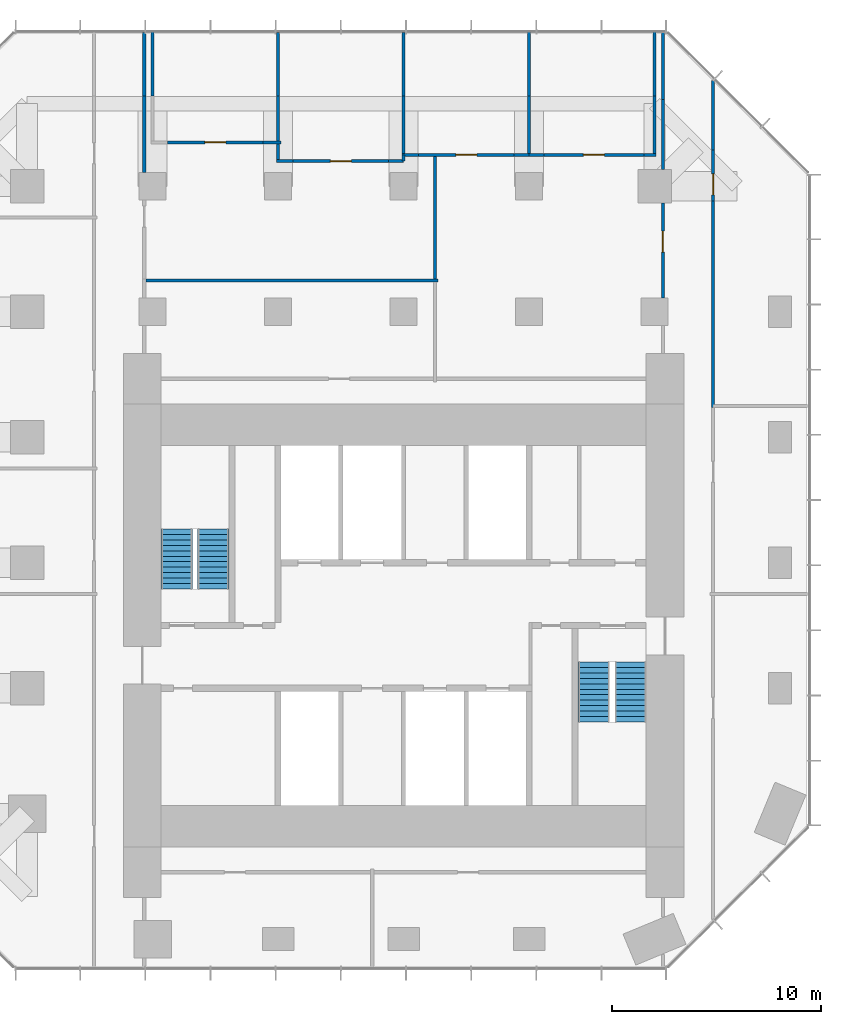
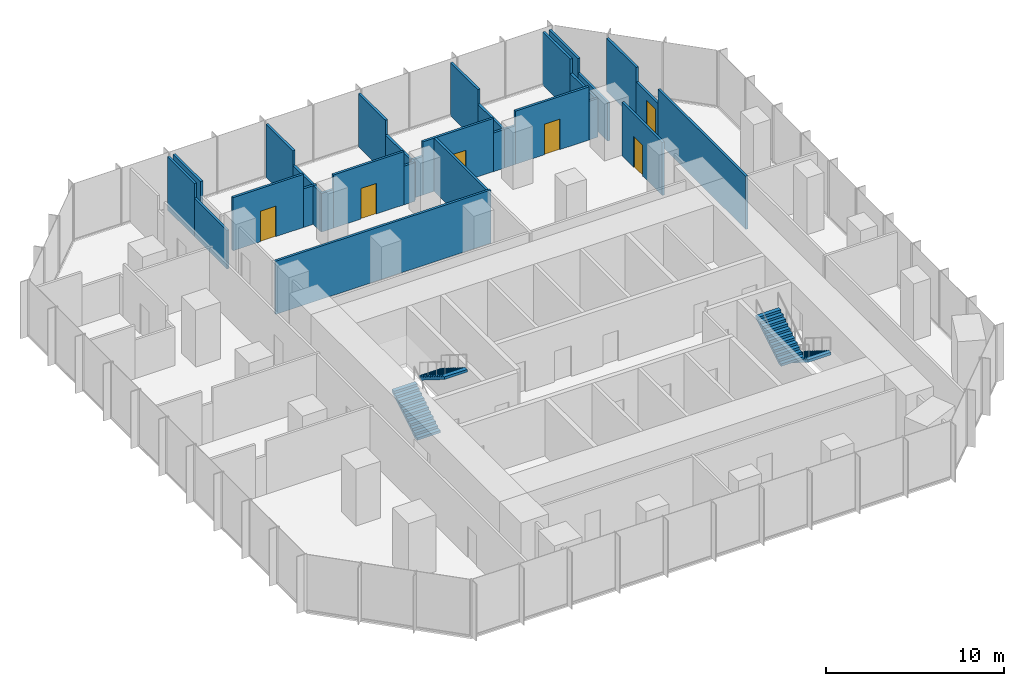
# One storey, part 10 of 11: 32 walls, 6 doors, 4 stair flights, 6 openings, 2 elements without a shape of their own.
"""IFC4 building model written with IfcOpenShell, lengths in metres."""

from ifc_helpers import new_model, si_unit, direction, frame, frame_2d, origin, place, context, subcontext, project, spatial, polyline, rectangle, outline, extrude, material, layer, layer_set, type_object, element, fill, aggregate, save


model = new_model("IFC4")

# Units and contexts
model_context = context("Model", 3, precision=1e-05, world=origin(), true_north=direction((0.0, 1.0)))
body_context = subcontext(model_context, "Body", "Model", "MODEL_VIEW")
ifc_project = project(units=[si_unit("LENGTHUNIT", "METRE"), si_unit("AREAUNIT", "SQUARE_METRE"), si_unit("VOLUMEUNIT", "CUBIC_METRE"), si_unit("PLANEANGLEUNIT", "RADIAN"), si_unit("MASSUNIT", "GRAM", prefix="KILO")], contexts=[model_context])

# Site, building, storey
site_placement = place(None, origin())
site = spatial("IfcSite", under=ifc_project, at=site_placement, CompositionType="ELEMENT")
building_placement = place(site_placement, origin())
building = spatial("IfcBuilding", under=site, at=building_placement, Name="Highveld Stack Headquarters", CompositionType="ELEMENT")
storey_placement = place(building_placement, frame((0.0, 0.0, 192.800048828125)))
storey = spatial("IfcBuildingStorey", under=building, at=storey_placement, Name="L47", CompositionType="ELEMENT", Elevation=192.800048828125)

# Wall
ifc_material_1 = material(Name="Gypsum plasterboard on steel studs", Category="steel")
ifc_layer = layer(ifc_material_1, 0.14990234375)
ifc_layer_set = layer_set([ifc_layer], Name="Gypsum plasterboard on steel studs")
wall_type = type_object("IfcWallType", Name="PARTITION 150 PLASTERBOARD", PredefinedType="PARTITIONING", material=ifc_layer_set)
wall_1_placement = place(storey_placement, frame((-0.074951171875, 25.199951171875, 0.0), z_axis=(0.0, 0.0, 1.0), x_axis=(1.0, 0.0, 0.0)))
element("IfcWall", 1, at=wall_1_placement, inside=storey, type_object=wall_type, Name="Partition Tea kitchen L47", PredefinedType="PARTITIONING", context=body_context, shape_type="SweptSolid", body=[
    extrude(rectangle(XDim=0.784912109375, YDim=0.14990234375, at=frame_2d((0.392578125, 0.0))), origin(), (0.0, 0.0, 1.0), 2.64990234375),
])

# Wall, opening, door
wall_2_placement = place(storey_placement, frame((0.7099609375, 25.199951171875, 0.0), z_axis=(0.0, 0.0, 1.0), x_axis=(1.0, 0.0, 0.0)))
wall_2 = element("IfcWall", 2, at=wall_2_placement, inside=storey, type_object=wall_type, Name="Partition Tea kitchen L47", PredefinedType="PARTITIONING", context=body_context, shape_type="SweptSolid", body=[
    extrude(rectangle(XDim=4.580078125, YDim=0.14990234375, at=frame_2d((2.2900390625, 0.0))), origin(), (0.0, 0.0, 1.0), 3.64990234375),
])
opening_1_placement = place(wall_2_placement, frame((1.7900390625, 0.0, 0.0)))
opening_1 = element("IfcOpeningElement", 3, at=opening_1_placement, cuts=wall_2, Name="Opening L47-14", PredefinedType="OPENING", context=body_context, shape_type="SweptSolid", body=[
    extrude(rectangle(XDim=1.0, YDim=2.10009765625, at=frame_2d((0.5, 1.050048828125))), frame((0.0, 0.0849609375, 0.0), z_axis=(0.0, -1.0, 0.0), x_axis=(1.0, 0.0, 0.0)), (0.0, 0.0, 1.0), 0.169921875),
])
ifc_material_2 = material(Name="Timber door, oiled ash", Category="wood")
door_type = type_object("IfcDoorType", Name="ROOM DOOR D6 1000x2100", OperationType="SINGLE_SWING_LEFT", PredefinedType="DOOR", material=ifc_material_2)
door_1_placement = place(opening_1_placement, origin())
door_1 = element("IfcDoor", 4, at=door_1_placement, inside=storey, type_object=door_type, Name="Tea kitchen door 1 L47", OperationType="SINGLE_SWING_LEFT", OverallHeight=2.10009765625, OverallWidth=1.0, PredefinedType="DOOR", context=body_context, shape_type="SweptSolid", body=[
    extrude(rectangle(XDim=1.0, YDim=2.10009765625, at=frame_2d((0.5, 1.050048828125))), frame((0.0, 0.02490234375, 0.0), z_axis=(0.0, -1.0, 0.0), x_axis=(1.0, 0.0, 0.0)), (0.0, 0.0, 1.0), 0.050048828125),
])
fill(opening_1, door_1)

# Walls
wall_3_placement = place(storey_placement, frame((5.2900390625, 25.199951171875, 0.0), z_axis=(0.0, 0.0, 1.0), x_axis=(1.0, 0.0, 0.0)))
element("IfcWall", 5, at=wall_3_placement, inside=storey, type_object=wall_type, Name="Partition Tea kitchen L47", PredefinedType="PARTITIONING", context=body_context, shape_type="SweptSolid", body=[
    extrude(rectangle(XDim=0.7099609375, YDim=0.14990234375, at=frame_2d((0.35498046875, 0.0))), origin(), (0.0, 0.0, 1.0), 2.64990234375),
])
wall_4_placement = place(storey_placement, frame((5.925048828125, 25.5, 0.0), z_axis=(0.0, 0.0, 1.0), x_axis=(1.0, 0.0, 0.0)))
element("IfcWall", 6, at=wall_4_placement, inside=storey, type_object=wall_type, Name="Partition Quiet room L47", PredefinedType="PARTITIONING", context=body_context, shape_type="SweptSolid", body=[
    extrude(rectangle(XDim=0.784912109375, YDim=0.14990234375, at=frame_2d((0.392578125, 0.0))), origin(), (0.0, 0.0, 1.0), 2.64990234375),
])

# Wall, opening, door
wall_5_placement = place(storey_placement, frame((6.7099609375, 25.5, 0.0), z_axis=(0.0, 0.0, 1.0), x_axis=(1.0, 0.0, 0.0)))
wall_5 = element("IfcWall", 7, at=wall_5_placement, inside=storey, type_object=wall_type, Name="Partition Quiet room L47", PredefinedType="PARTITIONING", context=body_context, shape_type="SweptSolid", body=[
    extrude(rectangle(XDim=4.580078125, YDim=0.14990234375, at=frame_2d((2.2900390625, 0.0))), origin(), (0.0, 0.0, 1.0), 3.64990234375),
])
opening_2_placement = place(wall_5_placement, frame((1.7900390625, 0.0, 0.0)))
opening_2 = element("IfcOpeningElement", 8, at=opening_2_placement, cuts=wall_5, Name="Opening L47-15", PredefinedType="OPENING", context=body_context, shape_type="SweptSolid", body=[
    extrude(rectangle(XDim=1.0, YDim=2.10009765625, at=frame_2d((0.5, 1.050048828125))), frame((0.0, 0.0849609375, 0.0), z_axis=(0.0, -1.0, 0.0), x_axis=(1.0, 0.0, 0.0)), (0.0, 0.0, 1.0), 0.169921875),
])
door_2_placement = place(opening_2_placement, origin())
door_2 = element("IfcDoor", 9, at=door_2_placement, inside=storey, type_object=door_type, Name="Quiet room door 1 L47", OperationType="SINGLE_SWING_LEFT", OverallHeight=2.10009765625, OverallWidth=1.0, PredefinedType="DOOR", context=body_context, shape_type="SweptSolid", body=[
    extrude(rectangle(XDim=1.0, YDim=2.10009765625, at=frame_2d((0.5, 1.050048828125))), frame((0.0, 0.02490234375, 0.0), z_axis=(0.0, -1.0, 0.0), x_axis=(1.0, 0.0, 0.0)), (0.0, 0.0, 1.0), 0.050048828125),
])
fill(opening_2, door_2)

# Walls
wall_6_placement = place(storey_placement, frame((11.2900390625, 25.5, 0.0), z_axis=(0.0, 0.0, 1.0), x_axis=(1.0, 0.0, 0.0)))
element("IfcWall", 10, at=wall_6_placement, inside=storey, type_object=wall_type, Name="Partition Quiet room L47", PredefinedType="PARTITIONING", context=body_context, shape_type="SweptSolid", body=[
    extrude(rectangle(XDim=0.784912109375, YDim=0.14990234375, at=frame_2d((0.392578125, 0.0))), origin(), (0.0, 0.0, 1.0), 2.64990234375),
])
wall_7_placement = place(storey_placement, frame((12.0, 25.5, 0.0), z_axis=(0.0, 0.0, 1.0), x_axis=(1.0, 0.0, 0.0)))
element("IfcWall", 11, at=wall_7_placement, inside=storey, type_object=wall_type, Name="Partition Quiet room L47", PredefinedType="PARTITIONING", context=body_context, shape_type="SweptSolid", body=[
    extrude(rectangle(XDim=0.7099609375, YDim=0.14990234375, at=frame_2d((0.35498046875, 0.0))), origin(), (0.0, 0.0, 1.0), 2.64990234375),
])

# Wall, opening, door
wall_8_placement = place(storey_placement, frame((12.7099609375, 25.5, 0.0), z_axis=(0.0, 0.0, 1.0), x_axis=(1.0, 0.0, 0.0)))
wall_8 = element("IfcWall", 12, at=wall_8_placement, inside=storey, type_object=wall_type, Name="Partition Quiet room L47", PredefinedType="PARTITIONING", context=body_context, shape_type="SweptSolid", body=[
    extrude(rectangle(XDim=4.780029296875, YDim=0.14990234375, at=frame_2d((2.39013671875, 0.0))), origin(), (0.0, 0.0, 1.0), 3.64990234375),
])
opening_3_placement = place(wall_8_placement, frame((1.889892578125, 0.0, 0.0)))
opening_3 = element("IfcOpeningElement", 13, at=opening_3_placement, cuts=wall_8, Name="Opening L47-16", PredefinedType="OPENING", context=body_context, shape_type="SweptSolid", body=[
    extrude(rectangle(XDim=1.0, YDim=2.10009765625, at=frame_2d((0.5, 1.050048828125))), frame((0.0, 0.0849609375, 0.0), z_axis=(0.0, -1.0, 0.0), x_axis=(1.0, 0.0, 0.0)), (0.0, 0.0, 1.0), 0.169921875),
])
door_3_placement = place(opening_3_placement, origin())
door_3 = element("IfcDoor", 14, at=door_3_placement, inside=storey, type_object=door_type, Name="Quiet room door 1 L47", OperationType="SINGLE_SWING_RIGHT", OverallHeight=2.10009765625, OverallWidth=1.0, PredefinedType="DOOR", context=body_context, shape_type="SweptSolid", body=[
    extrude(rectangle(XDim=1.0, YDim=2.10009765625, at=frame_2d((0.5, 1.050048828125))), frame((0.0, 0.02490234375, 0.0), z_axis=(0.0, -1.0, 0.0), x_axis=(1.0, 0.0, 0.0)), (0.0, 0.0, 1.0), 0.050048828125),
])
fill(opening_3, door_3)

# Wall
wall_9_placement = place(storey_placement, frame((17.489990234375, 25.5, 0.0), z_axis=(0.0, 0.0, 1.0), x_axis=(1.0, 0.0, 0.0)))
element("IfcWall", 15, at=wall_9_placement, inside=storey, type_object=wall_type, Name="Partition Quiet room L47", PredefinedType="PARTITIONING", context=body_context, shape_type="SweptSolid", body=[
    extrude(rectangle(XDim=0.5849609375, YDim=0.14990234375, at=frame_2d((0.29248046875, 0.0))), origin(), (0.0, 0.0, 1.0), 2.64990234375),
])

# Wall, opening, door
wall_10_placement = place(storey_placement, frame((-5.2900390625, 26.10009765625, 0.0), z_axis=(0.0, 0.0, 1.0), x_axis=(1.0, 0.0, 0.0)))
wall_10 = element("IfcWall", 16, at=wall_10_placement, inside=storey, type_object=wall_type, Name="Partition Focus room L47", PredefinedType="PARTITIONING", context=body_context, shape_type="SweptSolid", body=[
    extrude(rectangle(XDim=4.580078125, YDim=0.14990234375, at=frame_2d((2.2900390625, 0.0))), origin(), (0.0, 0.0, 1.0), 3.64990234375),
])
opening_4_placement = place(wall_10_placement, frame((1.7900390625, 0.0, 0.0)))
opening_4 = element("IfcOpeningElement", 17, at=opening_4_placement, cuts=wall_10, Name="Opening L47-13", PredefinedType="OPENING", context=body_context, shape_type="SweptSolid", body=[
    extrude(rectangle(XDim=1.0, YDim=2.10009765625, at=frame_2d((0.5, 1.050048828125))), frame((0.0, 0.0849609375, 0.0), z_axis=(0.0, -1.0, 0.0), x_axis=(1.0, 0.0, 0.0)), (0.0, 0.0, 1.0), 0.169921875),
])
door_4_placement = place(opening_4_placement, origin())
door_4 = element("IfcDoor", 18, at=door_4_placement, inside=storey, type_object=door_type, Name="Focus room door 1 L47", OperationType="SINGLE_SWING_RIGHT", OverallHeight=2.10009765625, OverallWidth=1.0, PredefinedType="DOOR", context=body_context, shape_type="SweptSolid", body=[
    extrude(rectangle(XDim=1.0, YDim=2.10009765625, at=frame_2d((0.5, 1.050048828125))), frame((0.0, 0.02490234375, 0.0), z_axis=(0.0, -1.0, 0.0), x_axis=(1.0, 0.0, 0.0)), (0.0, 0.0, 1.0), 0.050048828125),
])
fill(opening_4, door_4)

# Walls
wall_11_placement = place(storey_placement, frame((-0.7099609375, 26.10009765625, 0.0), z_axis=(0.0, 0.0, 1.0), x_axis=(1.0, 0.0, 0.0)))
element("IfcWall", 19, at=wall_11_placement, inside=storey, type_object=wall_type, Name="Partition Focus room L47", PredefinedType="PARTITIONING", context=body_context, shape_type="SweptSolid", body=[
    extrude(rectangle(XDim=0.85986328125, YDim=0.14990234375, at=frame_2d((0.429931640625, 0.0))), origin(), (0.0, 0.0, 1.0), 2.64990234375),
])
wall_12_placement = place(storey_placement, frame((-6.0, 28.31005859375, 0.0), z_axis=(0.0, 0.0, 1.0), x_axis=(0.0, 1.0, 0.0)))
element("IfcWall", 20, at=wall_12_placement, inside=storey, type_object=wall_type, Name="Partition Focus room L47", PredefinedType="PARTITIONING", context=body_context, shape_type="SweptSolid", body=[
    extrude(rectangle(XDim=3.08984375, YDim=0.14990234375, at=frame_2d((1.544921875, 0.0))), origin(), (0.0, 0.0, 1.0), 3.64990234375),
])
wall_13_placement = place(storey_placement, frame((0.0, 25.27490234375, 0.0), z_axis=(0.0, 0.0, 1.0), x_axis=(0.0, 1.0, 0.0)))
element("IfcWall", 21, at=wall_13_placement, inside=storey, type_object=wall_type, Name="Partition Tea kitchen L47", PredefinedType="PARTITIONING", context=body_context, shape_type="SweptSolid", body=[
    extrude(rectangle(XDim=0.75, YDim=0.14990234375, at=frame_2d((0.375, 0.0))), origin(), (0.0, 0.0, 1.0), 2.64990234375),
])
wall_14_placement = place(storey_placement, frame((0.0, 26.175048828125, 0.0), z_axis=(0.0, 0.0, 1.0), x_axis=(0.0, 1.0, 0.0)))
element("IfcWall", 22, at=wall_14_placement, inside=storey, type_object=wall_type, Name="Partition Focus room / Tea kitchen L47", PredefinedType="PARTITIONING", context=body_context, shape_type="SweptSolid", body=[
    extrude(rectangle(XDim=2.135009765625, YDim=0.14990234375, at=frame_2d((1.0673828125, 0.0))), origin(), (0.0, 0.0, 1.0), 2.64990234375),
])
wall_15_placement = place(storey_placement, frame((0.0, 28.31005859375, 0.0), z_axis=(0.0, 0.0, 1.0), x_axis=(0.0, 1.0, 0.0)))
element("IfcWall", 23, at=wall_15_placement, inside=storey, type_object=wall_type, Name="Partition Focus room / Tea kitchen L47", PredefinedType="PARTITIONING", context=body_context, shape_type="SweptSolid", body=[
    extrude(rectangle(XDim=3.0400390625, YDim=0.14990234375, at=frame_2d((1.52001953125, 0.0))), origin(), (0.0, 0.0, 1.0), 3.64990234375),
])
wall_16_placement = place(storey_placement, frame((6.0, 25.199951171875, 0.0), z_axis=(0.0, 0.0, 1.0), x_axis=(0.0, 1.0, 0.0)))
element("IfcWall", 24, at=wall_16_placement, inside=storey, type_object=wall_type, Name="Partition Tea kitchen L47", PredefinedType="PARTITIONING", context=body_context, shape_type="SweptSolid", body=[
    extrude(rectangle(XDim=0.300048828125, YDim=0.14990234375, at=frame_2d((0.14990234375, 0.0))), origin(), (0.0, 0.0, 1.0), 2.64990234375),
])
wall_17_placement = place(storey_placement, frame((6.0, 25.574951171875, 0.0), z_axis=(0.0, 0.0, 1.0), x_axis=(0.0, 1.0, 0.0)))
element("IfcWall", 25, at=wall_17_placement, inside=storey, type_object=wall_type, Name="Partition Quiet room / Tea kitchen L47", PredefinedType="PARTITIONING", context=body_context, shape_type="SweptSolid", body=[
    extrude(rectangle(XDim=2.735107421875, YDim=0.14990234375, at=frame_2d((1.36767578125, 0.0))), origin(), (0.0, 0.0, 1.0), 2.64990234375),
])
wall_18_placement = place(storey_placement, frame((6.0, 28.31005859375, 0.0), z_axis=(0.0, 0.0, 1.0), x_axis=(0.0, 1.0, 0.0)))
element("IfcWall", 26, at=wall_18_placement, inside=storey, type_object=wall_type, Name="Partition Quiet room / Tea kitchen L47", PredefinedType="PARTITIONING", context=body_context, shape_type="SweptSolid", body=[
    extrude(rectangle(XDim=3.0400390625, YDim=0.14990234375, at=frame_2d((1.52001953125, 0.0))), origin(), (0.0, 0.0, 1.0), 3.64990234375),
])
wall_19_placement = place(storey_placement, frame((12.0, 25.574951171875, 0.0), z_axis=(0.0, 0.0, 1.0), x_axis=(0.0, 1.0, 0.0)))
element("IfcWall", 27, at=wall_19_placement, inside=storey, type_object=wall_type, Name="Partition Quiet room L47", PredefinedType="PARTITIONING", context=body_context, shape_type="SweptSolid", body=[
    extrude(rectangle(XDim=2.735107421875, YDim=0.14990234375, at=frame_2d((1.36767578125, 0.0))), origin(), (0.0, 0.0, 1.0), 2.64990234375),
])
wall_20_placement = place(storey_placement, frame((12.0, 28.31005859375, 0.0), z_axis=(0.0, 0.0, 1.0), x_axis=(0.0, 1.0, 0.0)))
element("IfcWall", 28, at=wall_20_placement, inside=storey, type_object=wall_type, Name="Partition Quiet room L47", PredefinedType="PARTITIONING", context=body_context, shape_type="SweptSolid", body=[
    extrude(rectangle(XDim=3.08984375, YDim=0.14990234375, at=frame_2d((1.544921875, 0.0))), origin(), (0.0, 0.0, 1.0), 3.64990234375),
])
wall_21_placement = place(storey_placement, frame((18.0, 25.574951171875, 0.0), z_axis=(0.0, 0.0, 1.0), x_axis=(0.0, 1.0, 0.0)))
element("IfcWall", 29, at=wall_21_placement, inside=storey, type_object=wall_type, Name="Partition Quiet room L47", PredefinedType="PARTITIONING", context=body_context, shape_type="SweptSolid", body=[
    extrude(rectangle(XDim=2.735107421875, YDim=0.14990234375, at=frame_2d((1.36767578125, 0.0))), origin(), (0.0, 0.0, 1.0), 2.64990234375),
])
wall_22_placement = place(storey_placement, frame((18.0, 28.31005859375, 0.0), z_axis=(0.0, 0.0, 1.0), x_axis=(0.0, 1.0, 0.0)))
element("IfcWall", 30, at=wall_22_placement, inside=storey, type_object=wall_type, Name="Partition Quiet room L47", PredefinedType="PARTITIONING", context=body_context, shape_type="SweptSolid", body=[
    extrude(rectangle(XDim=3.08984375, YDim=0.14990234375, at=frame_2d((1.544921875, 0.0))), origin(), (0.0, 0.0, 1.0), 3.64990234375),
])
wall_23_placement = place(storey_placement, frame((-6.39990234375, 24.64990234375, 0.0), z_axis=(0.0, 0.0, 1.0), x_axis=(0.0, 1.0, 0.0)))
element("IfcWall", 31, at=wall_23_placement, inside=storey, type_object=wall_type, Name="Partition office neighbourhood L47", PredefinedType="PARTITIONING", context=body_context, shape_type="SweptSolid", body=[
    extrude(rectangle(XDim=3.66015625, YDim=0.14990234375, at=frame_2d((1.830078125, 0.0))), origin(), (0.0, 0.0, 1.0), 2.64990234375),
])
wall_24_placement = place(storey_placement, frame((-6.39990234375, 28.31005859375, 0.0), z_axis=(0.0, 0.0, 1.0), x_axis=(0.0, 1.0, 0.0)))
element("IfcWall", 32, at=wall_24_placement, inside=storey, type_object=wall_type, Name="Partition office neighbourhood L47", PredefinedType="PARTITIONING", context=body_context, shape_type="SweptSolid", body=[
    extrude(rectangle(XDim=3.0400390625, YDim=0.14990234375, at=frame_2d((1.52001953125, 0.0))), origin(), (0.0, 0.0, 1.0), 3.64990234375),
])
wall_25_placement = place(storey_placement, frame((-6.324951171875, 19.5, 0.0), z_axis=(0.0, 0.0, 1.0), x_axis=(1.0, 0.0, 0.0)))
element("IfcWall", 33, at=wall_25_placement, inside=storey, type_object=wall_type, Name="Partition office neighbourhood L47", PredefinedType="PARTITIONING", context=body_context, shape_type="SweptSolid", body=[
    extrude(rectangle(XDim=13.974853515625, YDim=0.14990234375, at=frame_2d((6.9873046875, 0.0))), origin(), (0.0, 0.0, 1.0), 3.64990234375),
])
wall_26_placement = place(storey_placement, frame((7.5, 19.574951171875, 0.0), z_axis=(0.0, 0.0, 1.0), x_axis=(0.0, 1.0, 0.0)))
element("IfcWall", 34, at=wall_26_placement, inside=storey, type_object=wall_type, Name="Partition office neighbourhood L47", PredefinedType="PARTITIONING", context=body_context, shape_type="SweptSolid", body=[
    extrude(rectangle(XDim=5.85009765625, YDim=0.14990234375, at=frame_2d((2.925048828125, 0.0))), origin(), (0.0, 0.0, 1.0), 3.64990234375),
])

# Wall, opening, door
wall_27_placement = place(storey_placement, frame((18.39990234375, 18.64990234375, 0.0), z_axis=(0.0, 0.0, 1.0), x_axis=(0.0, 1.0, 0.0)))
wall_27 = element("IfcWall", 35, at=wall_27_placement, inside=storey, type_object=wall_type, Name="Partition office neighbourhood L47", PredefinedType="PARTITIONING", context=body_context, shape_type="SweptSolid", body=[
    extrude(rectangle(XDim=4.550048828125, YDim=0.14990234375, at=frame_2d((2.27490234375, 0.0))), origin(), (0.0, 0.0, 1.0), 3.64990234375),
])
opening_5_placement = place(wall_27_placement, frame((2.205078125, 0.0, 0.0)))
opening_5 = element("IfcOpeningElement", 36, at=opening_5_placement, cuts=wall_27, Name="Opening L47-26", PredefinedType="OPENING", context=body_context, shape_type="SweptSolid", body=[
    extrude(rectangle(XDim=1.0, YDim=2.10009765625, at=frame_2d((0.5, 1.050048828125))), frame((0.0, 0.0849609375, 0.0), z_axis=(0.0, -1.0, 0.0), x_axis=(1.0, 0.0, 0.0)), (0.0, 0.0, 1.0), 0.169921875),
])
door_5_placement = place(opening_5_placement, origin())
door_5 = element("IfcDoor", 37, at=door_5_placement, inside=storey, type_object=door_type, Name="Office neighbourhood door L47", OperationType="SINGLE_SWING_RIGHT", OverallHeight=2.10009765625, OverallWidth=1.0, PredefinedType="DOOR", context=body_context, shape_type="SweptSolid", body=[
    extrude(rectangle(XDim=1.0, YDim=2.10009765625, at=frame_2d((0.5, 1.050048828125))), frame((0.0, 0.02490234375, 0.0), z_axis=(0.0, -1.0, 0.0), x_axis=(1.0, 0.0, 0.0)), (0.0, 0.0, 1.0), 0.050048828125),
])
fill(opening_5, door_5)

# Walls
wall_28_placement = place(storey_placement, frame((18.39990234375, 24.800048828125, 0.0), z_axis=(0.0, 0.0, 1.0), x_axis=(0.0, 1.0, 0.0)))
element("IfcWall", 38, at=wall_28_placement, inside=storey, type_object=wall_type, Name="Partition office neighbourhood L47", PredefinedType="PARTITIONING", context=body_context, shape_type="SweptSolid", body=[
    extrude(rectangle(XDim=3.33984375, YDim=0.14990234375, at=frame_2d((1.669921875, 0.0))), origin(), (0.0, 0.0, 1.0), 2.64990234375),
])
wall_29_placement = place(storey_placement, frame((18.39990234375, 28.139892578125, 0.0), z_axis=(0.0, 0.0, 1.0), x_axis=(0.0, 1.0, 0.0)))
element("IfcWall", 39, at=wall_29_placement, inside=storey, type_object=wall_type, Name="Partition office neighbourhood L47", PredefinedType="PARTITIONING", context=body_context, shape_type="SweptSolid", body=[
    extrude(rectangle(XDim=3.260009765625, YDim=0.14990234375, at=frame_2d((1.6298828125, 0.0))), origin(), (0.0, 0.0, 1.0), 3.64990234375),
])
wall_30_placement = place(storey_placement, frame((20.800048828125, 13.425048828125, 0.0), z_axis=(0.0, 0.0, 1.0), x_axis=(0.0, 1.0, 0.0)))
element("IfcWall", 40, at=wall_30_placement, inside=storey, type_object=wall_type, Name="Partition office neighbourhood L47", PredefinedType="PARTITIONING", context=body_context, shape_type="SweptSolid", body=[
    extrude(rectangle(XDim=9.864990234375, YDim=0.14990234375, at=frame_2d((4.9326171875, 0.0))), origin(), (0.0, 0.0, 1.0), 3.64990234375),
])

# Wall, opening, door
wall_31_placement = place(storey_placement, frame((20.800048828125, 23.2900390625, 0.0), z_axis=(0.0, 0.0, 1.0), x_axis=(0.0, 1.0, 0.0)))
wall_31 = element("IfcWall", 41, at=wall_31_placement, inside=storey, type_object=wall_type, Name="Partition office neighbourhood L47", PredefinedType="PARTITIONING", context=body_context, shape_type="SweptSolid", body=[
    extrude(rectangle(XDim=2.449951171875, YDim=0.14990234375, at=frame_2d((1.22509765625, 0.0))), origin(), (0.0, 0.0, 1.0), 2.64990234375),
])
opening_6_placement = place(wall_31_placement, frame((0.300048828125, 0.0, 0.0)))
opening_6 = element("IfcOpeningElement", 42, at=opening_6_placement, cuts=wall_31, Name="Opening L47-25", PredefinedType="OPENING", context=body_context, shape_type="SweptSolid", body=[
    extrude(rectangle(XDim=1.0, YDim=2.10009765625, at=frame_2d((0.5, 1.050048828125))), frame((0.0, 0.0849609375, 0.0), z_axis=(0.0, -1.0, 0.0), x_axis=(1.0, 0.0, 0.0)), (0.0, 0.0, 1.0), 0.169921875),
])
door_6_placement = place(opening_6_placement, origin())
door_6 = element("IfcDoor", 43, at=door_6_placement, inside=storey, type_object=door_type, Name="Office neighbourhood door L47", OperationType="SINGLE_SWING_LEFT", OverallHeight=2.10009765625, OverallWidth=1.0, PredefinedType="DOOR", context=body_context, shape_type="SweptSolid", body=[
    extrude(rectangle(XDim=1.0, YDim=2.10009765625, at=frame_2d((0.5, 1.050048828125))), frame((0.0, 0.02490234375, 0.0), z_axis=(0.0, -1.0, 0.0), x_axis=(1.0, 0.0, 0.0)), (0.0, 0.0, 1.0), 0.050048828125),
])
fill(opening_6, door_6)

# Wall
wall_32_placement = place(storey_placement, frame((20.800048828125, 25.739990234375, 0.0), z_axis=(0.0, 0.0, 1.0), x_axis=(0.0, 1.0, 0.0)))
element("IfcWall", 44, at=wall_32_placement, inside=storey, type_object=wall_type, Name="Partition office neighbourhood L47", PredefinedType="PARTITIONING", context=body_context, shape_type="SweptSolid", body=[
    extrude(rectangle(XDim=3.323974609375, YDim=0.14990234375, at=frame_2d((1.662109375, 0.0))), origin(), (0.0, 0.0, 1.0), 3.64990234375),
])

# Stair, stair flights
ifc_material_3 = material(Name="Concrete C40/50, precast", Category="concrete")
stair_type_1 = type_object("IfcStairType", Name="STAIR S1 HALF TURN 1500", PredefinedType="HALF_TURN_STAIR", material=ifc_material_3)
stair_1_placement = place(storey_placement, origin())
stair_1 = element("IfcStair", 45, at=stair_1_placement, inside=storey, type_object=stair_type_1, Name="Stair S1 L47", PredefinedType="HALF_TURN_STAIR")
ifc_material_4 = material(Name="Concrete C40/50, precast", Category="concrete")
stair_flight_type = type_object("IfcStairFlightType", Name="STAIR FLIGHT 1500 PRECAST", PredefinedType="STRAIGHT", material=ifc_material_4)
stair_flight_1_placement = place(storey_placement, frame((-4.85009765625, 4.75, 0.0), z_axis=(0.0, 0.0, 1.0), x_axis=(0.0, 1.0, 0.0)))
stair_flight_1 = element("IfcStairFlight", 46, at=stair_flight_1_placement, type_object=stair_flight_type, Name="S1 flight 1", NumberOfRisers=12, NumberOfTreads=11, PredefinedType="STRAIGHT", RiserHeight=0.1625, TreadLength=0.26, context=body_context, shape_type="SweptSolid", body=[
    extrude(outline(polyline([(0.0, 0.0), (0.0, 0.16259765625), (0.260009765625, 0.16259765625), (0.260009765625, 0.324951171875), (0.52001953125, 0.324951171875), (0.52001953125, 0.487548828125), (0.780029296875, 0.487548828125), (0.780029296875, 0.64990234375), (1.0400390625, 0.64990234375), (1.0400390625, 0.8125), (1.300048828125, 0.8125), (1.300048828125, 0.97509765625), (1.56005859375, 0.97509765625), (1.56005859375, 1.137451171875), (1.820068359375, 1.137451171875), (1.820068359375, 1.300048828125), (2.080078125, 1.300048828125), (2.080078125, 1.46240234375), (2.340087890625, 1.46240234375), (2.340087890625, 1.625), (2.60009765625, 1.625), (2.60009765625, 1.78759765625), (2.860107421875, 1.78759765625), (2.860107421875, 1.949951171875), (2.860107421875, 1.61083984375), (0.28271484375, 0.0), (0.0, 0.0)])), frame((0.0, 0.75, 0.0), z_axis=(0.0, -1.0, 0.0), x_axis=(1.0, 0.0, 0.0)), (0.0, 0.0, 1.0), 1.5),
])
stair_flight_2_placement = place(storey_placement, frame((-3.10009765625, 7.610107421875, 1.949951171875), z_axis=(0.0, 0.0, 1.0), x_axis=(0.0, -1.0, 0.0)))
stair_flight_2 = element("IfcStairFlight", 47, at=stair_flight_2_placement, type_object=stair_flight_type, Name="S1 flight 2", NumberOfRisers=12, NumberOfTreads=11, PredefinedType="STRAIGHT", RiserHeight=0.1625, TreadLength=0.26, context=body_context, shape_type="SweptSolid", body=[
    extrude(outline(polyline([(0.0, 0.0), (0.0, 0.16259765625), (0.260009765625, 0.16259765625), (0.260009765625, 0.324951171875), (0.52001953125, 0.324951171875), (0.52001953125, 0.487548828125), (0.780029296875, 0.487548828125), (0.780029296875, 0.64990234375), (1.0400390625, 0.64990234375), (1.0400390625, 0.8125), (1.300048828125, 0.8125), (1.300048828125, 0.97509765625), (1.56005859375, 0.97509765625), (1.56005859375, 1.137451171875), (1.820068359375, 1.137451171875), (1.820068359375, 1.300048828125), (2.080078125, 1.300048828125), (2.080078125, 1.46240234375), (2.340087890625, 1.46240234375), (2.340087890625, 1.625), (2.60009765625, 1.625), (2.60009765625, 1.78759765625), (2.860107421875, 1.78759765625), (2.860107421875, 1.949951171875), (2.860107421875, 1.61083984375), (0.28271484375, 0.0), (0.0, 0.0)])), frame((0.0, 0.75, 0.0), z_axis=(0.0, -1.0, 0.0), x_axis=(1.0, 0.0, 0.0)), (0.0, 0.0, 1.0), 1.5),
])
aggregate(stair_1, [stair_flight_1, stair_flight_2])

ifc_material_5 = material(Name="Concrete C40/50, precast", Category="concrete")
stair_type_2 = type_object("IfcStairType", Name="STAIR S2 HALF TURN 1500", PredefinedType="HALF_TURN_STAIR", material=ifc_material_5)
stair_2_placement = place(storey_placement, origin())
stair_2 = element("IfcStair", 48, at=stair_2_placement, inside=storey, type_object=stair_type_2, Name="Stair S2 L47", PredefinedType="HALF_TURN_STAIR")
stair_flight_3_placement = place(storey_placement, frame((16.85009765625, 1.25, 0.0), z_axis=(0.0, 0.0, 1.0), x_axis=(0.0, -1.0, 0.0)))
stair_flight_3 = element("IfcStairFlight", 49, at=stair_flight_3_placement, type_object=stair_flight_type, Name="S2 flight 1", NumberOfRisers=12, NumberOfTreads=11, PredefinedType="STRAIGHT", RiserHeight=0.1625, TreadLength=0.26, context=body_context, shape_type="SweptSolid", body=[
    extrude(outline(polyline([(0.0, 0.0), (0.0, 0.16259765625), (0.260009765625, 0.16259765625), (0.260009765625, 0.324951171875), (0.52001953125, 0.324951171875), (0.52001953125, 0.487548828125), (0.780029296875, 0.487548828125), (0.780029296875, 0.64990234375), (1.0400390625, 0.64990234375), (1.0400390625, 0.8125), (1.300048828125, 0.8125), (1.300048828125, 0.97509765625), (1.56005859375, 0.97509765625), (1.56005859375, 1.137451171875), (1.820068359375, 1.137451171875), (1.820068359375, 1.300048828125), (2.080078125, 1.300048828125), (2.080078125, 1.46240234375), (2.340087890625, 1.46240234375), (2.340087890625, 1.625), (2.60009765625, 1.625), (2.60009765625, 1.78759765625), (2.860107421875, 1.78759765625), (2.860107421875, 1.949951171875), (2.860107421875, 1.61083984375), (0.28271484375, 0.0), (0.0, 0.0)])), frame((0.0, 0.75, 0.0), z_axis=(0.0, -1.0, 0.0), x_axis=(1.0, 0.0, 0.0)), (0.0, 0.0, 1.0), 1.5),
])
stair_flight_4_placement = place(storey_placement, frame((15.10009765625, -1.610107421875, 1.949951171875), z_axis=(0.0, 0.0, 1.0), x_axis=(0.0, 1.0, 0.0)))
stair_flight_4 = element("IfcStairFlight", 50, at=stair_flight_4_placement, type_object=stair_flight_type, Name="S2 flight 2", NumberOfRisers=12, NumberOfTreads=11, PredefinedType="STRAIGHT", RiserHeight=0.1625, TreadLength=0.26, context=body_context, shape_type="SweptSolid", body=[
    extrude(outline(polyline([(0.0, 0.0), (0.0, 0.16259765625), (0.260009765625, 0.16259765625), (0.260009765625, 0.324951171875), (0.52001953125, 0.324951171875), (0.52001953125, 0.487548828125), (0.780029296875, 0.487548828125), (0.780029296875, 0.64990234375), (1.0400390625, 0.64990234375), (1.0400390625, 0.8125), (1.300048828125, 0.8125), (1.300048828125, 0.97509765625), (1.56005859375, 0.97509765625), (1.56005859375, 1.137451171875), (1.820068359375, 1.137451171875), (1.820068359375, 1.300048828125), (2.080078125, 1.300048828125), (2.080078125, 1.46240234375), (2.340087890625, 1.46240234375), (2.340087890625, 1.625), (2.60009765625, 1.625), (2.60009765625, 1.78759765625), (2.860107421875, 1.78759765625), (2.860107421875, 1.949951171875), (2.860107421875, 1.61083984375), (0.28271484375, 0.0), (0.0, 0.0)])), frame((0.0, 0.75, 0.0), z_axis=(0.0, -1.0, 0.0), x_axis=(1.0, 0.0, 0.0)), (0.0, 0.0, 1.0), 1.5),
])
aggregate(stair_2, [stair_flight_3, stair_flight_4])

save(model, "model.ifc")
